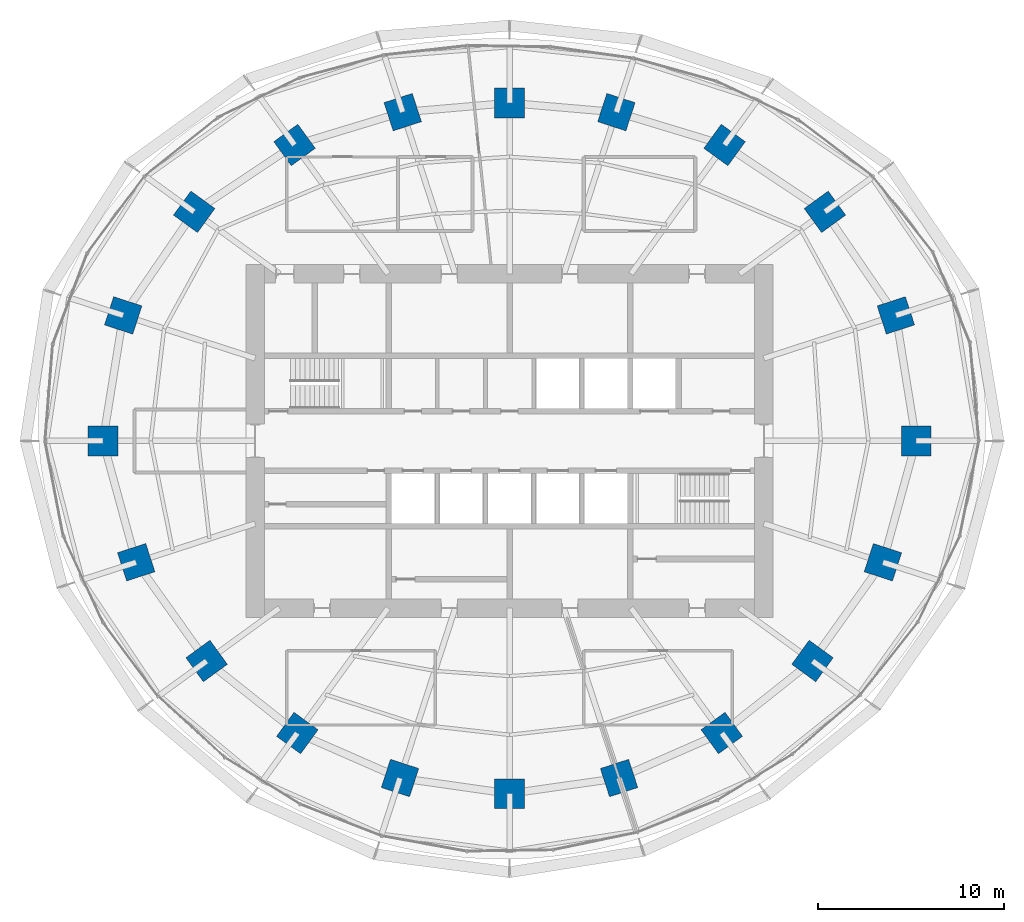
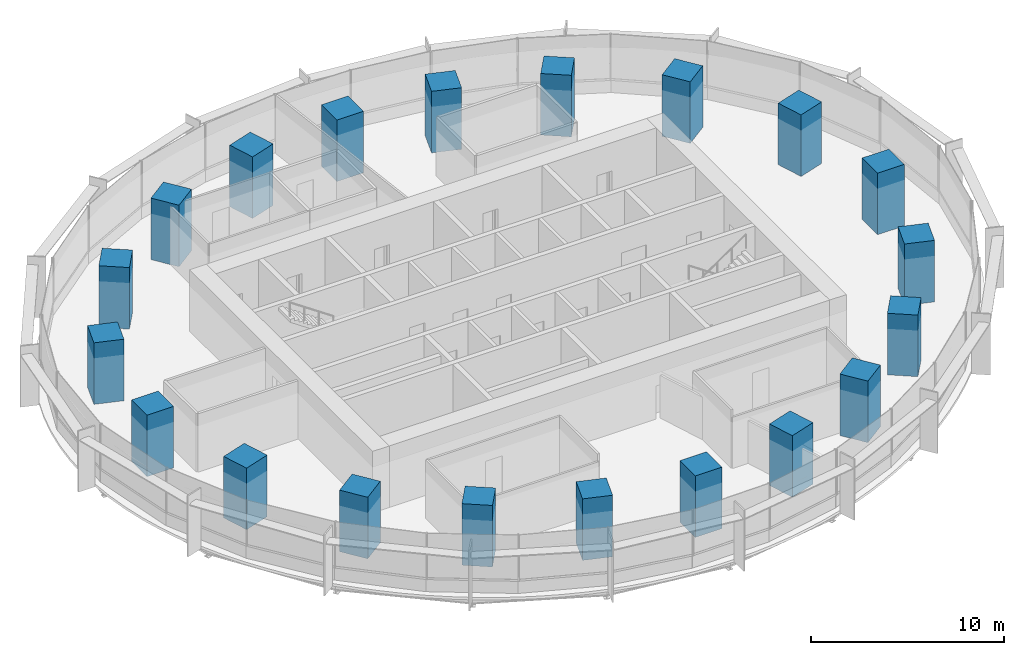
# One storey, part 1 of 14: 20 columns.
"""IFC4 building model written with IfcOpenShell, lengths in metres."""

from ifc_helpers import new_model, si_unit, direction, frame, origin, origin_2d, place, context, subcontext, project, spatial, rectangle, extrude, material, material_profile, profile_set, type_object, element, save


model = new_model("IFC4")

# Units and contexts
model_context = context("Model", 3, precision=1e-05, world=origin(), true_north=direction((0.0, 1.0)))
body_context = subcontext(model_context, "Body", "Model", "MODEL_VIEW")
ifc_project = project(units=[si_unit("LENGTHUNIT", "METRE"), si_unit("AREAUNIT", "SQUARE_METRE"), si_unit("VOLUMEUNIT", "CUBIC_METRE"), si_unit("PLANEANGLEUNIT", "RADIAN"), si_unit("MASSUNIT", "GRAM", prefix="KILO")], contexts=[model_context])

# Site, building, storey
site_placement = place(None, origin())
site = spatial("IfcSite", under=ifc_project, at=site_placement, CompositionType="ELEMENT")
building_placement = place(site_placement, origin())
building = spatial("IfcBuilding", under=site, at=building_placement, Name="Marramba Exchange Tower", CompositionType="ELEMENT")
storey_placement = place(building_placement, frame((0.0, 0.0, 162.60009765625)))
storey = spatial("IfcBuildingStorey", under=building, at=storey_placement, Name="L39", CompositionType="ELEMENT", Elevation=162.60009765625)

# Columns
ifc_material = material(Name="Concrete N50", Category="concrete")
ifc_material_profile = material_profile(ifc_material, rectangle(XDim=1.60009765625, YDim=1.60009765625, at=origin_2d()), Name="RC 1600x1600")
ifc_profile_set = profile_set([ifc_material_profile], Name="Concrete N50")
column_type = type_object("IfcColumnType", Name="Perimeter column RC 1600x1600 N50", PredefinedType="COLUMN", material=ifc_profile_set)
for number, where, z_axis, x_axis, name in (
    (1, (21.89990234375, 0.0, 0.0), (0.0, 0.0, 1.0), (1.0, 0.0, 0.0), "Column TC01 L39"),
    (2, (20.808349609375, 6.760986328125, 0.0), (0.0, 0.0, 1.0), (0.951056516295, 0.309016994375, 0.0), "Column TC02 L39"),
    (3, (16.98583984375, 12.3408203125, 0.0), (0.0, 0.0, 1.0), (0.809016994375, 0.587785252292, 0.0), "Column TC03 L39"),
    (4, (11.581298828125, 15.9404296875, 0.0), (0.0, 0.0, 1.0), (0.587785252292, 0.809016994375, 0.0), "Column TC04 L39"),
    (5, (5.75390625, 17.70849609375, 0.0), (0.0, 0.0, 1.0), (0.309016994375, 0.951056516295, 0.0), "Column TC05 L39"),
    (6, (0.0, 18.2041015625, 0.0), (0.0, 0.0, 1.0), (0.0, 1.0, 0.0), "Column TC06 L39"),
    (7, (-5.75390625, 17.70849609375, 0.0), (0.0, 0.0, 1.0), (-0.309016994375, 0.951056516295, 0.0), "Column TC07 L39"),
    (8, (-11.581298828125, 15.9404296875, 0.0), (0.0, 0.0, 1.0), (-0.587785252292, 0.809016994375, 0.0), "Column TC08 L39"),
    (9, (-16.98583984375, 12.3408203125, 0.0), (0.0, 0.0, 1.0), (-0.809016994375, 0.587785252292, 0.0), "Column TC09 L39"),
    (10, (-20.808349609375, 6.760986328125, 0.0), (0.0, 0.0, 1.0), (-0.951056516295, 0.309016994375, 0.0), "Column TC10 L39"),
    (11, (-21.89990234375, 0.0, 0.0), (0.0, 0.0, 1.0), (-1.0, 0.0, 0.0), "Column TC11 L39"),
    (12, (-20.109375, -6.533935546875, 0.0), (0.0, 0.0, 1.0), (-0.951056516295, -0.309016994375, 0.0), "Column TC12 L39"),
    (13, (-16.3154296875, -11.853759765625, 0.0), (0.0, 0.0, 1.0), (-0.809016994375, -0.587785252292, 0.0), "Column TC13 L39"),
    (14, (-11.430419921875, -15.732666015625, 0.0), (0.0, 0.0, 1.0), (-0.587785252292, -0.809016994375, 0.0), "Column TC14 L39"),
    (15, (-5.899658203125, -18.156982421875, 0.0), (0.0, 0.0, 1.0), (-0.309016994375, -0.951056516295, 0.0), "Column TC15 L39"),
    (16, (0.0, -18.99609375, 0.0), (0.0, 0.0, 1.0), (0.0, -1.0, 0.0), "Column TC16 L39"),
    (17, (5.899658203125, -18.156982421875, 0.0), (0.0, 0.0, 1.0), (0.309016994375, -0.951056516295, 0.0), "Column TC17 L39"),
    (18, (11.430419921875, -15.732666015625, 0.0), (0.0, 0.0, 1.0), (0.587785252292, -0.809016994375, 0.0), "Column TC18 L39"),
    (19, (16.3154296875, -11.853759765625, 0.0), (0.0, 0.0, 1.0), (0.809016994375, -0.587785252292, 0.0), "Column TC19 L39"),
    (20, (20.109375, -6.533935546875, 0.0), (0.0, 0.0, 1.0), (0.951056516295, -0.309016994375, 0.0), "Column TC20 L39"),
):
    element("IfcColumn", number, at=place(storey_placement, frame(where, z_axis=z_axis, x_axis=x_axis)), inside=storey, type_object=column_type, Name=name, PredefinedType="COLUMN", context=body_context, shape_type="SweptSolid", body=[
        extrude(rectangle(XDim=1.60009765625, YDim=1.60009765625, at=origin_2d()), origin(), (0.0, 0.0, 1.0), 3.89990234375),
    ])

save(model, "model.ifc")
